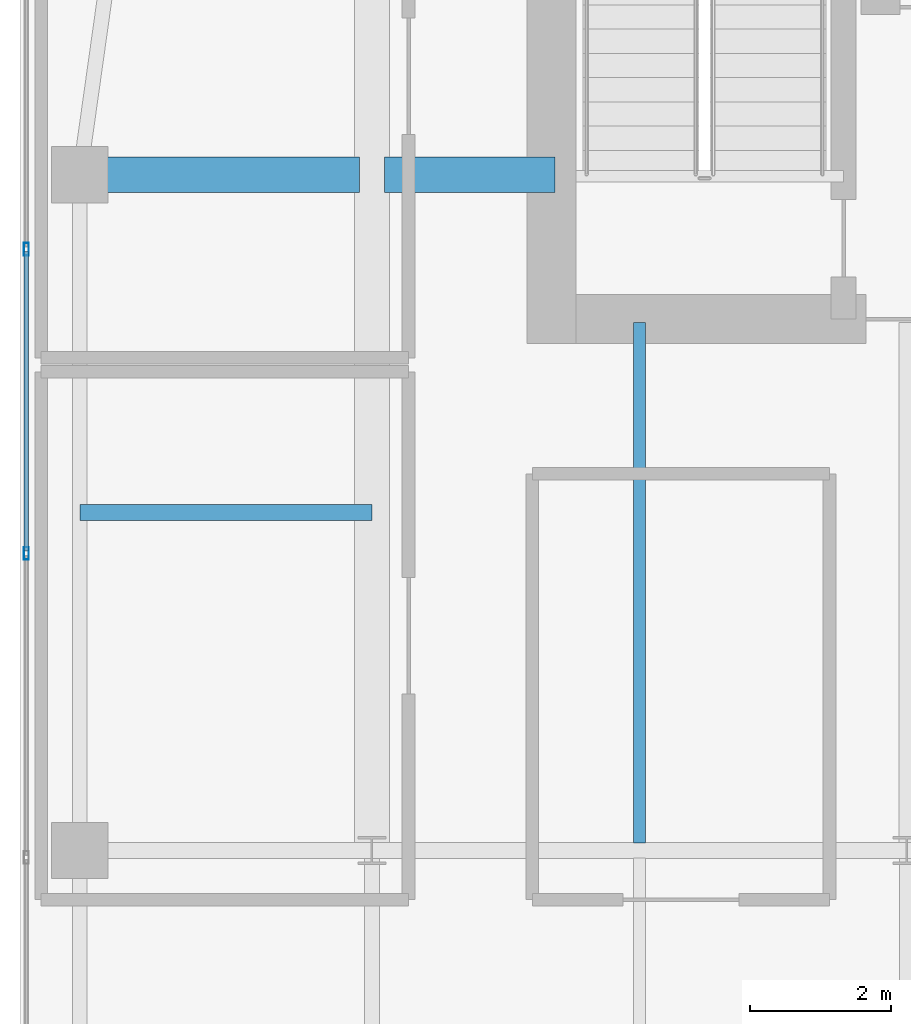
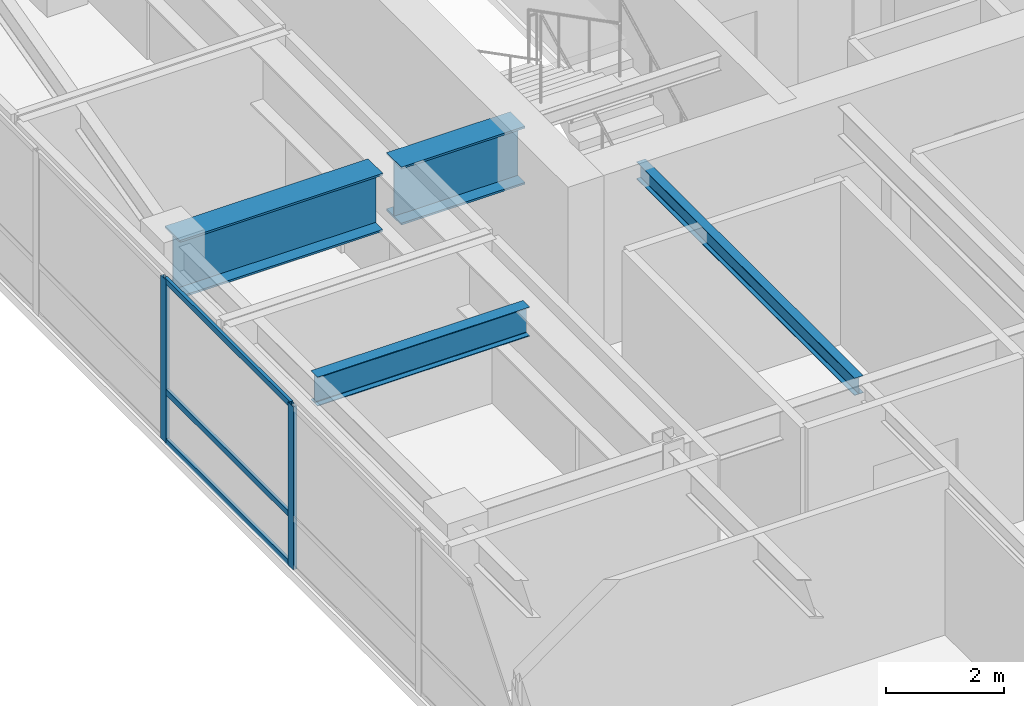
# One storey, part 11 of 28: 5 members, 4 beams, 1 element without a shape of its own.
"""IFC4 building model written with IfcOpenShell, lengths in metres."""

from ifc_helpers import new_model, si_unit, direction, frame, origin, origin_2d, place, context, subcontext, project, spatial, hollow_rectangle, i_section, extrude, source, transform, mapped, material, layer, layer_set, material_profile, profile_set, type_object, type_shapes, element, aggregate, save


model = new_model("IFC4")

# Units and contexts
model_context = context("Model", 3, precision=1e-05, world=origin(), true_north=direction((0.0, 1.0)))
body_context = subcontext(model_context, "Body", "Model", "MODEL_VIEW")
ifc_project = project(units=[si_unit("LENGTHUNIT", "METRE"), si_unit("AREAUNIT", "SQUARE_METRE"), si_unit("VOLUMEUNIT", "CUBIC_METRE"), si_unit("PLANEANGLEUNIT", "RADIAN"), si_unit("MASSUNIT", "GRAM", prefix="KILO")], contexts=[model_context])

# Site, building, storey
site_placement = place(None, origin())
site = spatial("IfcSite", under=ifc_project, at=site_placement, CompositionType="ELEMENT")
building_placement = place(site_placement, origin())
building = spatial("IfcBuilding", under=site, at=building_placement, Name="Tolvann Quenvar Hotel", CompositionType="ELEMENT")
storey_placement = place(building_placement, frame((0.0, 0.0, 198.199951171875)))
storey = spatial("IfcBuildingStorey", under=building, at=storey_placement, Name="L52", CompositionType="ELEMENT", Elevation=198.199951171875)

# Beams
ifc_material_1 = material(Name="Steel Grade 350", Category="steel")
ifc_material_profile_1 = material_profile(ifc_material_1, i_section(OverallWidth=0.5, OverallDepth=1.199951171875, WebThickness=0.01611328125, FlangeThickness=0.0400390625, at=origin_2d()), Name="1200WB455")
ifc_profile_set_1 = profile_set([ifc_material_profile_1], Name="Steel Grade 350")
beam_type_1 = type_object("IfcBeamType", Name="BM_TG_1200WB455", PredefinedType="USERDEFINED", material=ifc_profile_set_1)
shared_shape_1 = source(origin(), body_context, "Body", "SweptSolid", [
    extrude(i_section(OverallWidth=0.5, OverallDepth=1.199951171875, WebThickness=0.01611328125, FlangeThickness=0.0400390625, at=origin_2d()), origin(), (0.0, 0.0, 1.0), 2.419921875),
])
beam_1_placement = place(storey_placement, frame((7.780029296875, 34.0, 2.77001953125), z_axis=(1.0, 0.0, 0.0), x_axis=(0.0, 1.0, 0.0)))
element("IfcBeam", 1, at=beam_1_placement, inside=storey, type_object=beam_type_1, Name="BM-L52-CTW-MID2", ObjectType="TRANSFER GIRDER", PredefinedType="USERDEFINED", context=body_context, shape_type="MappedRepresentation", body=[
    mapped(shared_shape_1, transform((0.0, 0.0, 0.0), x_axis=(1.0, 0.0, 0.0), y_axis=(0.0, 1.0, 0.0), z_axis=(0.0, 0.0, 1.0), scale=1.0)),
])
shared_shape_2 = source(origin(), body_context, "Body", "SweptSolid", [
    extrude(i_section(OverallWidth=0.5, OverallDepth=1.199951171875, WebThickness=0.01611328125, FlangeThickness=0.0400390625, at=origin_2d()), origin(), (0.0, 0.0, 1.0), 3.969970703125),
])
type_shapes(beam_type_1, [shared_shape_1, shared_shape_2])
beam_2_placement = place(storey_placement, frame((3.449951171875, 34.0, 2.77001953125), z_axis=(1.0, 0.0, 0.0), x_axis=(0.0, 1.0, 0.0)))
element("IfcBeam", 2, at=beam_2_placement, inside=storey, type_object=beam_type_1, Name="BM-L52-CTW-MID1", ObjectType="TRANSFER GIRDER", PredefinedType="USERDEFINED", context=body_context, shape_type="MappedRepresentation", body=[
    mapped(shared_shape_2, transform((0.0, 0.0, 0.0), x_axis=(1.0, 0.0, 0.0), y_axis=(0.0, 1.0, 0.0), z_axis=(0.0, 0.0, 1.0), scale=1.0)),
])
ifc_material_profile_2 = material_profile(ifc_material_1, i_section(OverallWidth=0.22802734375, OverallDepth=0.60205078125, WebThickness=0.010498046875, FlangeThickness=0.014892578125, FilletRadius=0.013916015625, at=origin_2d()), Name="610UB101")
ifc_profile_set_2 = profile_set([ifc_material_profile_2], Name="Steel Grade 350")
beam_type_2 = type_object("IfcBeamType", Name="BM_GIRD_610UB101", PredefinedType="BEAM", material=ifc_profile_set_2)
shared_shape_3 = source(origin(), body_context, "Body", "SweptSolid", [
    extrude(i_section(OverallWidth=0.22802734375, OverallDepth=0.60205078125, WebThickness=0.010498046875, FlangeThickness=0.014892578125, FilletRadius=0.013916015625, at=origin_2d()), origin(), (0.0, 0.0, 1.0), 4.150146484375),
])
type_shapes(beam_type_2, [shared_shape_3])
beam_3_placement = place(storey_placement, frame((3.449951171875, 29.199951171875, 3.069091796875), z_axis=(1.0, 0.0, 0.0), x_axis=(0.0, 1.0, 0.0)))
element("IfcBeam", 3, at=beam_3_placement, inside=storey, type_object=beam_type_2, Name="BM-L52-EW-BC29", PredefinedType="BEAM", context=body_context, shape_type="MappedRepresentation", body=[
    mapped(shared_shape_3, transform((0.0, 0.0, 0.0), x_axis=(1.0, 0.0, 0.0), y_axis=(0.0, 1.0, 0.0), z_axis=(0.0, 0.0, 1.0), scale=1.0)),
])
ifc_material_profile_3 = material_profile(ifc_material_1, i_section(OverallWidth=0.172119140625, OverallDepth=0.35888671875, WebThickness=0.008056640625, FlangeThickness=0.012939453125, FilletRadius=0.011474609375, at=origin_2d()), Name="360UB57")
ifc_profile_set_3 = profile_set([ifc_material_profile_3], Name="Steel Grade 350")
beam_type_3 = type_object("IfcBeamType", Name="BM_JOIST_360UB57", PredefinedType="JOIST", material=ifc_profile_set_3)
shared_shape_4 = source(origin(), body_context, "Body", "SweptSolid", [
    extrude(i_section(OverallWidth=0.172119140625, OverallDepth=0.35888671875, WebThickness=0.008056640625, FlangeThickness=0.012939453125, FilletRadius=0.011474609375, at=origin_2d()), origin(), (0.0, 0.0, 1.0), 7.391845703125),
])
type_shapes(beam_type_3, [shared_shape_4])
beam_4_placement = place(storey_placement, frame((11.39990234375, 24.508056640625, 3.1904296875), z_axis=(0.0, 1.0, 0.0), x_axis=(-1.0, 0.0, 0.0)))
element("IfcBeam", 4, at=beam_4_placement, inside=storey, type_object=beam_type_3, Name="BJ-L52-114-244", PredefinedType="JOIST", context=body_context, shape_type="MappedRepresentation", body=[
    mapped(shared_shape_4, transform((0.0, 0.0, 0.0), x_axis=(1.0, 0.0, 0.0), y_axis=(0.0, 1.0, 0.0), z_axis=(0.0, 0.0, 1.0), scale=1.0)),
])

# Curtain wall, members
ifc_material_2 = material(Name="Thermally broken anodised architectural aluminium 6063-T6 and laminated low-E glass", Category="aluminium")
ifc_layer = layer(ifc_material_2, 0.179931640625)
ifc_layer_set = layer_set([ifc_layer], Name="Thermally broken anodised architectural aluminium 6063-T6 and laminated low-E glass")
curtain_wall_type = type_object("IfcCurtainWallType", Name="CW_SYS_BAND_04", PredefinedType="USERDEFINED", material=ifc_layer_set)
curtain_wall_placement = place(storey_placement, origin())
curtain_wall = element("IfcCurtainWall", 5, at=curtain_wall_placement, inside=storey, type_object=curtain_wall_type, Name="Curtain Wall CW-BAND-04 (CWR-L52-E23)", ObjectType="UNITISED CURTAIN WALL", PredefinedType="USERDEFINED")
ifc_material_3 = material(Name="Anodised architectural aluminium 6063-T6 framing", Category="aluminium")
ifc_material_profile_4 = material_profile(ifc_material_3, hollow_rectangle(XDim=0.070068359375, YDim=0.179931640625, WallThickness=0.00390625, at=origin_2d()), Name="180x70x4RHS")
ifc_profile_set_4 = profile_set([ifc_material_profile_4], Name="Anodised architectural aluminium 6063-T6 framing")
member_type_1 = type_object("IfcMemberType", Name="CW_MULL_180x70", PredefinedType="MULLION", material=ifc_profile_set_4)
shared_shape_5 = source(origin(), body_context, "Body", "SweptSolid", [
    extrude(hollow_rectangle(XDim=0.070068359375, YDim=0.179931640625, WallThickness=0.00390625, at=origin_2d()), origin(), (0.0, 0.0, 1.0), 3.3701171875),
])
type_shapes(member_type_1, [shared_shape_5])
member_1_placement = place(storey_placement, frame((2.68994140625, 32.94140625, 0.0), z_axis=(0.0, 0.0, 1.0), x_axis=(1.0, 0.0, 0.0)))
member_1 = element("IfcMember", 6, at=member_1_placement, type_object=member_type_1, Name="CW-BAND-04 mullion 3", PredefinedType="MULLION", context=body_context, shape_type="MappedRepresentation", body=[
    mapped(shared_shape_5, transform((0.0, 0.0, 0.0), x_axis=(1.0, 0.0, 0.0), y_axis=(0.0, 1.0, 0.0), z_axis=(0.0, 0.0, 1.0), scale=1.0)),
])
member_2_placement = place(storey_placement, frame((2.68994140625, 28.62060546875, 0.0), z_axis=(0.0, 0.0, 1.0), x_axis=(1.0, 0.0, 0.0)))
member_2 = element("IfcMember", 7, at=member_2_placement, type_object=member_type_1, Name="CW-BAND-04 mullion 4", PredefinedType="MULLION", context=body_context, shape_type="MappedRepresentation", body=[
    mapped(shared_shape_5, transform((0.0, 0.0, 0.0), x_axis=(1.0, 0.0, 0.0), y_axis=(0.0, 1.0, 0.0), z_axis=(0.0, 0.0, 1.0), scale=1.0)),
])
ifc_material_profile_5 = material_profile(ifc_material_3, hollow_rectangle(XDim=0.06005859375, YDim=0.1201171875, WallThickness=0.00341796875, at=origin_2d()), Name="120x60x3.5RHS")
ifc_profile_set_5 = profile_set([ifc_material_profile_5], Name="Anodised architectural aluminium 6063-T6 framing")
member_type_2 = type_object("IfcMemberType", Name="CW_TRAN_120x60", PredefinedType="USERDEFINED", material=ifc_profile_set_5)
shared_shape_6 = source(origin(), body_context, "Body", "SweptSolid", [
    extrude(hollow_rectangle(XDim=0.06005859375, YDim=0.1201171875, WallThickness=0.00341796875, at=origin_2d()), origin(), (0.0, 0.0, 1.0), 4.250732421875),
])
type_shapes(member_type_2, [shared_shape_6])
member_3_placement = place(storey_placement, frame((2.68994140625, 32.906494140625, 0.030029296875), z_axis=(0.0, -1.0, 0.0), x_axis=(1.0, 0.0, 0.0)))
member_3 = element("IfcMember", 8, at=member_3_placement, type_object=member_type_2, Name="CW-BAND-04 transom 3.1", ObjectType="TRANSOM", PredefinedType="USERDEFINED", context=body_context, shape_type="MappedRepresentation", body=[
    mapped(shared_shape_6, transform((0.0, 0.0, 0.0), x_axis=(1.0, 0.0, 0.0), y_axis=(0.0, 1.0, 0.0), z_axis=(0.0, 0.0, 1.0), scale=1.0)),
])
member_4_placement = place(storey_placement, frame((2.68994140625, 32.906494140625, 1.050048828125), z_axis=(0.0, -1.0, 0.0), x_axis=(1.0, 0.0, 0.0)))
member_4 = element("IfcMember", 9, at=member_4_placement, type_object=member_type_2, Name="CW-BAND-04 transom 3.2", ObjectType="TRANSOM", PredefinedType="USERDEFINED", context=body_context, shape_type="MappedRepresentation", body=[
    mapped(shared_shape_6, transform((0.0, 0.0, 0.0), x_axis=(1.0, 0.0, 0.0), y_axis=(0.0, 1.0, 0.0), z_axis=(0.0, 0.0, 1.0), scale=1.0)),
])
member_5_placement = place(storey_placement, frame((2.68994140625, 32.906494140625, 3.340087890625), z_axis=(0.0, -1.0, 0.0), x_axis=(1.0, 0.0, 0.0)))
member_5 = element("IfcMember", 10, at=member_5_placement, type_object=member_type_2, Name="CW-BAND-04 transom 3.3", ObjectType="TRANSOM", PredefinedType="USERDEFINED", context=body_context, shape_type="MappedRepresentation", body=[
    mapped(shared_shape_6, transform((0.0, 0.0, 0.0), x_axis=(1.0, 0.0, 0.0), y_axis=(0.0, 1.0, 0.0), z_axis=(0.0, 0.0, 1.0), scale=1.0)),
])
aggregate(curtain_wall, [member_1, member_2, member_3, member_4, member_5])

save(model, "model.ifc")
